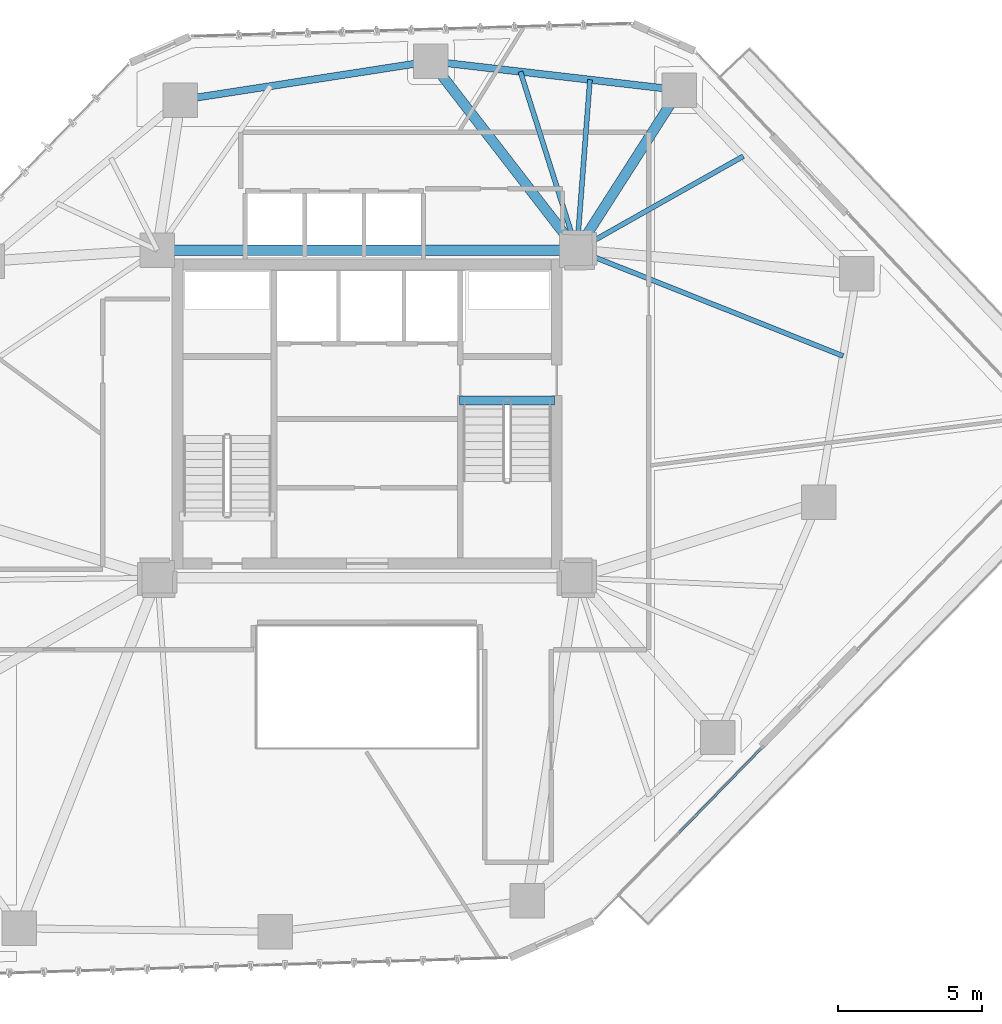
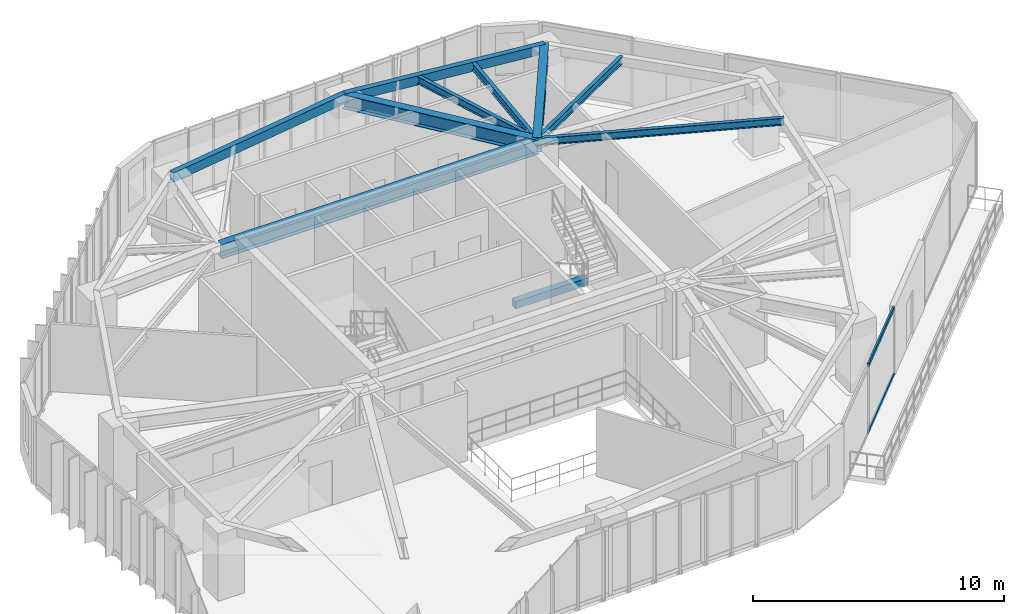
# One storey, part 11 of 23: 10 beams, 2 members, 1 element without a shape of its own.
"""IFC4 building model written with IfcOpenShell, lengths in metres."""

from ifc_helpers import new_model, si_unit, direction, frame, origin, origin_2d, place, context, subcontext, project, spatial, rectangle, hollow_rectangle, i_section, extrude, source, transform, mapped, material, layer, layer_set, material_profile, profile_set, type_object, type_shapes, element, aggregate, save


model = new_model("IFC4")

# Units and contexts
model_context = context("Model", 3, precision=1e-05, world=origin(), true_north=direction((0.0, 1.0)))
body_context = subcontext(model_context, "Body", "Model", "MODEL_VIEW")
ifc_project = project(units=[si_unit("LENGTHUNIT", "METRE"), si_unit("AREAUNIT", "SQUARE_METRE"), si_unit("VOLUMEUNIT", "CUBIC_METRE"), si_unit("PLANEANGLEUNIT", "RADIAN"), si_unit("MASSUNIT", "GRAM", prefix="KILO")], contexts=[model_context])

# Site, building, storey
site_placement = place(None, origin())
site = spatial("IfcSite", under=ifc_project, at=site_placement, CompositionType="ELEMENT")
building_placement = place(site_placement, origin())
building = spatial("IfcBuilding", under=site, at=building_placement, Name="Talar Marvaseh", CompositionType="ELEMENT")
storey_placement = place(building_placement, frame((0.0, 0.0, 96.60009765625)))
storey = spatial("IfcBuildingStorey", under=building, at=storey_placement, Name="L24", CompositionType="ELEMENT", Elevation=96.60009765625)

# Beams
ifc_material_1 = material(Name="Concrete C40/50", Category="concrete")
ifc_material_profile_1 = material_profile(ifc_material_1, rectangle(XDim=0.300048828125, YDim=0.360107421875, at=origin_2d()), Name="RC300x360")
ifc_profile_set_1 = profile_set([ifc_material_profile_1], Name="Concrete C40/50")
beam_type_1 = type_object("IfcBeamType", Name="Concrete Stair Landing Trimmer Beam RC300x360", PredefinedType="SPANDREL", material=ifc_profile_set_1)
beam_1_placement = place(storey_placement, frame((29.219970703125, 31.669921875, -0.18017578125), z_axis=(1.0, 0.0, 0.0), x_axis=(0.0, 1.0, 0.0)))
element("IfcBeam", 1, at=beam_1_placement, inside=storey, type_object=beam_type_1, Name="L24 ST-2 Stair Nosing Trimmer Beam", PredefinedType="SPANDREL", context=body_context, shape_type="SweptSolid", body=[
    extrude(rectangle(XDim=0.300048828125, YDim=0.360107421875, at=origin_2d()), origin(), (0.0, 0.0, 1.0), 3.300048828125),
])
ifc_material_2 = material(Name="Steel S355", Category="steel")
ifc_material_profile_2 = material_profile(ifc_material_2, hollow_rectangle(XDim=0.25, YDim=0.449951171875, WallThickness=0.01611328125, at=origin_2d()), Name="RHS450x250x16")
ifc_profile_set_2 = profile_set([ifc_material_profile_2], Name="Steel S355")
beam_type_2 = type_object("IfcBeamType", Name="Zone 2 Perimeter Spandrel Beam RHS450x250x16", PredefinedType="SPANDREL", material=ifc_profile_set_2)
beam_2_placement = place(storey_placement, frame((19.5009765625, 42.123046875, 3.0849609375), z_axis=(0.988248879948, 0.152853365295, 0.0), x_axis=(-0.152853365295, 0.988248879948, 0.0)))
element("IfcBeam", 2, at=beam_2_placement, inside=storey, type_object=beam_type_2, Name="L24 Zone 2 Perimeter Spandrel Beam RHS450x250x16", PredefinedType="SPANDREL", context=body_context, shape_type="SweptSolid", body=[
    extrude(hollow_rectangle(XDim=0.25, YDim=0.449951171875, WallThickness=0.01611328125, at=origin_2d()), origin(), (0.0, 0.0, 1.0), 8.82470703125),
])
beam_3_placement = place(storey_placement, frame((28.221923828125, 43.471923828125, 3.0849609375), z_axis=(0.993361914569, -0.115030894474, 0.0), x_axis=(0.115030894474, 0.993361914569, 0.0)))
element("IfcBeam", 3, at=beam_3_placement, inside=storey, type_object=beam_type_2, Name="L24 Zone 2 Perimeter Spandrel Beam RHS450x250x16", PredefinedType="SPANDREL", context=body_context, shape_type="SweptSolid", body=[
    extrude(hollow_rectangle(XDim=0.25, YDim=0.449951171875, WallThickness=0.01611328125, at=origin_2d()), origin(), (0.0, 0.0, 1.0), 8.701904296875),
])
ifc_material_profile_3 = material_profile(ifc_material_2, i_section(OverallWidth=0.35498046875, OverallDepth=0.695068359375, WebThickness=0.015380859375, FlangeThickness=0.02490234375, at=origin_2d()), Name="W690x217")
ifc_profile_set_3 = profile_set([ifc_material_profile_3], Name="Steel S355")
beam_type_3 = type_object("IfcBeamType", Name="Zone 2 Radial Floor Girder W690x217", PredefinedType="BEAM", material=ifc_profile_set_3)
beam_4_placement = place(storey_placement, frame((18.699951171875, 36.89990234375, 2.96240234375), z_axis=(1.0, 0.0, 0.0), x_axis=(0.0, 1.0, 0.0)))
element("IfcBeam", 4, at=beam_4_placement, inside=storey, type_object=beam_type_3, Name="L24 Zone 2 Radial Floor Girder W690x217", PredefinedType="BEAM", context=body_context, shape_type="SweptSolid", body=[
    extrude(i_section(OverallWidth=0.35498046875, OverallDepth=0.695068359375, WebThickness=0.015380859375, FlangeThickness=0.02490234375, at=origin_2d()), origin(), (0.0, 0.0, 1.0), 14.60009765625),
])
beam_5_placement = place(storey_placement, frame((36.865966796875, 42.470947265625, 2.96240234375), z_axis=(-0.539101874952, -0.842240564461, 0.0), x_axis=(0.842240564461, -0.539101874952, 0.0)))
element("IfcBeam", 5, at=beam_5_placement, inside=storey, type_object=beam_type_3, Name="L24 Zone 2 Radial Floor Girder W690x217", PredefinedType="BEAM", context=body_context, shape_type="SweptSolid", body=[
    extrude(i_section(OverallWidth=0.35498046875, OverallDepth=0.695068359375, WebThickness=0.015380859375, FlangeThickness=0.02490234375, at=origin_2d()), origin(), (0.0, 0.0, 1.0), 6.614501953125),
])
beam_6_placement = place(storey_placement, frame((28.221923828125, 43.471923828125, 2.96240234375), z_axis=(0.611428258763, -0.791299870079, 0.0), x_axis=(0.791299870079, 0.611428258763, 0.0)))
element("IfcBeam", 6, at=beam_6_placement, inside=storey, type_object=beam_type_3, Name="L24 Zone 2 Radial Floor Girder W690x217", PredefinedType="BEAM", context=body_context, shape_type="SweptSolid", body=[
    extrude(i_section(OverallWidth=0.35498046875, OverallDepth=0.695068359375, WebThickness=0.015380859375, FlangeThickness=0.02490234375, at=origin_2d()), origin(), (0.0, 0.0, 1.0), 8.305419921875),
])
ifc_material_profile_4 = material_profile(ifc_material_2, i_section(OverallWidth=0.172119140625, OverallDepth=0.35791015625, WebThickness=0.0078125, FlangeThickness=0.01318359375, at=origin_2d()), Name="W360x57")
ifc_profile_set_4 = profile_set([ifc_material_profile_4], Name="Steel S355")
beam_type_4 = type_object("IfcBeamType", Name="Zone 2 Secondary Floor Joist W360x57", PredefinedType="JOIST", material=ifc_profile_set_4)
beam_7_placement = place(storey_placement, frame((39.090087890625, 40.168701171875, 3.130859375), z_axis=(-0.870809604029, -0.491620416105, 0.0), x_axis=(0.491620416105, -0.870809604029, 0.0)))
element("IfcBeam", 7, at=beam_7_placement, inside=storey, type_object=beam_type_4, Name="L24 Zone 2 Secondary Floor Joist W360x57", PredefinedType="JOIST", context=body_context, shape_type="SweptSolid", body=[
    extrude(i_section(OverallWidth=0.172119140625, OverallDepth=0.35791015625, WebThickness=0.0078125, FlangeThickness=0.01318359375, at=origin_2d()), origin(), (0.0, 0.0, 1.0), 6.64892578125),
])
beam_8_placement = place(storey_placement, frame((42.5634765625, 33.214599609375, 3.130859375), z_axis=(-0.929169193082, 0.369654718119, 0.0), x_axis=(-0.369654718119, -0.929169193082, 0.0)))
element("IfcBeam", 8, at=beam_8_placement, inside=storey, type_object=beam_type_4, Name="L24 Zone 2 Secondary Floor Joist W360x57", PredefinedType="JOIST", context=body_context, shape_type="SweptSolid", body=[
    extrude(i_section(OverallWidth=0.172119140625, OverallDepth=0.35791015625, WebThickness=0.0078125, FlangeThickness=0.01318359375, at=origin_2d()), origin(), (0.0, 0.0, 1.0), 9.969482421875),
])
beam_9_placement = place(storey_placement, frame((31.333740234375, 43.111572265625, 3.130859375), z_axis=(0.301791238044, -0.953374033966, 0.0), x_axis=(0.953374033966, 0.301791238044, 0.0)))
element("IfcBeam", 9, at=beam_9_placement, inside=storey, type_object=beam_type_4, Name="L24 Zone 2 Secondary Floor Joist W360x57", PredefinedType="JOIST", context=body_context, shape_type="SweptSolid", body=[
    extrude(i_section(OverallWidth=0.172119140625, OverallDepth=0.35791015625, WebThickness=0.0078125, FlangeThickness=0.01318359375, at=origin_2d()), origin(), (0.0, 0.0, 1.0), 6.515380859375),
])
beam_10_placement = place(storey_placement, frame((33.754150390625, 42.831298828125, 3.130859375), z_axis=(-0.076335577703, -0.99708218296, 0.0), x_axis=(0.99708218296, -0.076335577703, 0.0)))
element("IfcBeam", 10, at=beam_10_placement, inside=storey, type_object=beam_type_4, Name="L24 Zone 2 Secondary Floor Joist W360x57", PredefinedType="JOIST", context=body_context, shape_type="SweptSolid", body=[
    extrude(i_section(OverallWidth=0.172119140625, OverallDepth=0.35791015625, WebThickness=0.0078125, FlangeThickness=0.01318359375, at=origin_2d()), origin(), (0.0, 0.0, 1.0), 5.94873046875),
])

# Curtain wall, members
ifc_material_3 = material(Name="Architectural Aluminium", Category="aluminium")
ifc_layer = layer(ifc_material_3, 0.199951171875)
ifc_layer_set = layer_set([ifc_layer], Name="Architectural Aluminium")
curtain_wall_type = type_object("IfcCurtainWallType", Name="Unitised Acoustic Library Curtain Wall Z2", PredefinedType="NOTDEFINED", material=ifc_layer_set)
curtain_wall_placement = place(storey_placement, origin())
curtain_wall = element("IfcCurtainWall", 11, at=curtain_wall_placement, inside=storey, type_object=curtain_wall_type, Name="L24 Unitised Acoustic Library Curtain Wall Z2", PredefinedType="NOTDEFINED")
ifc_material_profile_5 = material_profile(ifc_material_3, hollow_rectangle(XDim=0.074951171875, YDim=0.179931640625, WallThickness=0.0048828125, at=origin_2d()), Name="RHS180x75x5")
ifc_profile_set_5 = profile_set([ifc_material_profile_5], Name="Architectural Aluminium")
member_type = type_object("IfcMemberType", Name="Unitised Curtain Wall Transom RHS180x75x5", PredefinedType="USERDEFINED", material=ifc_profile_set_5)
shared_shape = source(origin(), body_context, "Body", "SweptSolid", [
    extrude(hollow_rectangle(XDim=0.074951171875, YDim=0.179931640625, WallThickness=0.0048828125, at=origin_2d()), origin(), (0.0, 0.0, 1.0), 4.10302734375),
])
type_shapes(member_type, [shared_shape])
member_1_placement = place(storey_placement, frame((39.71044921875, 19.55126953125, 0.037353515625), z_axis=(-0.697914033713, -0.716181542311, 0.0), x_axis=(0.716181542311, -0.697914033713, 0.0)))
member_1 = element("IfcMember", 12, at=member_1_placement, type_object=member_type, Name="CW-Z2 transom 1.1", ObjectType="TRANSOM", PredefinedType="USERDEFINED", context=body_context, shape_type="MappedRepresentation", body=[
    mapped(shared_shape, transform((0.0, 0.0, 0.0), x_axis=(1.0, 0.0, 0.0), y_axis=(0.0, 1.0, 0.0), z_axis=(0.0, 0.0, 1.0), scale=1.0)),
])
member_2_placement = place(storey_placement, frame((39.71044921875, 19.55126953125, 3.2724609375), z_axis=(-0.697914033713, -0.716181542311, 0.0), x_axis=(0.716181542311, -0.697914033713, 0.0)))
member_2 = element("IfcMember", 13, at=member_2_placement, type_object=member_type, Name="CW-Z2 transom 1.2", ObjectType="TRANSOM", PredefinedType="USERDEFINED", context=body_context, shape_type="MappedRepresentation", body=[
    mapped(shared_shape, transform((0.0, 0.0, 0.0), x_axis=(1.0, 0.0, 0.0), y_axis=(0.0, 1.0, 0.0), z_axis=(0.0, 0.0, 1.0), scale=1.0)),
])
aggregate(curtain_wall, [member_1, member_2])

save(model, "model.ifc")
